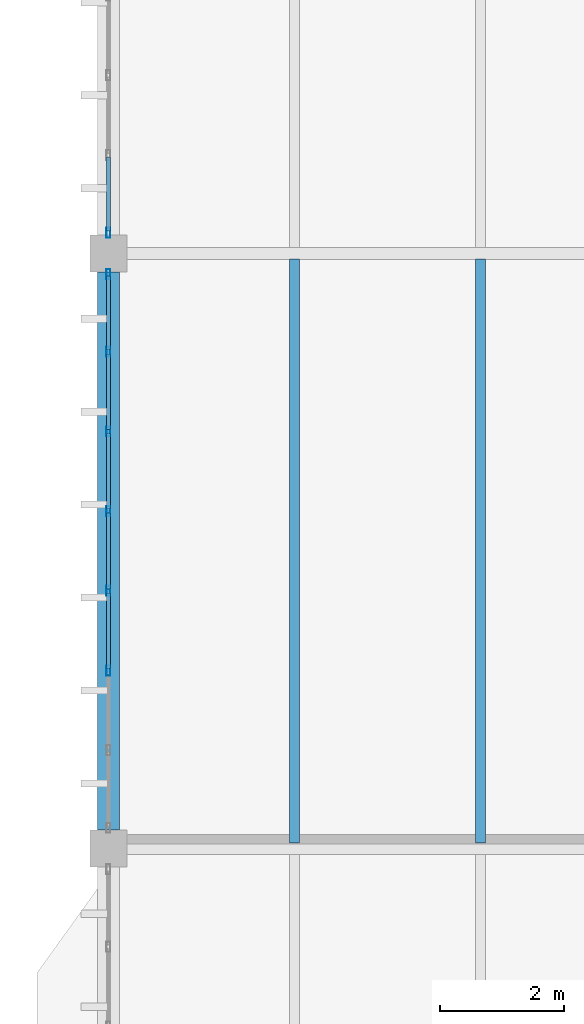
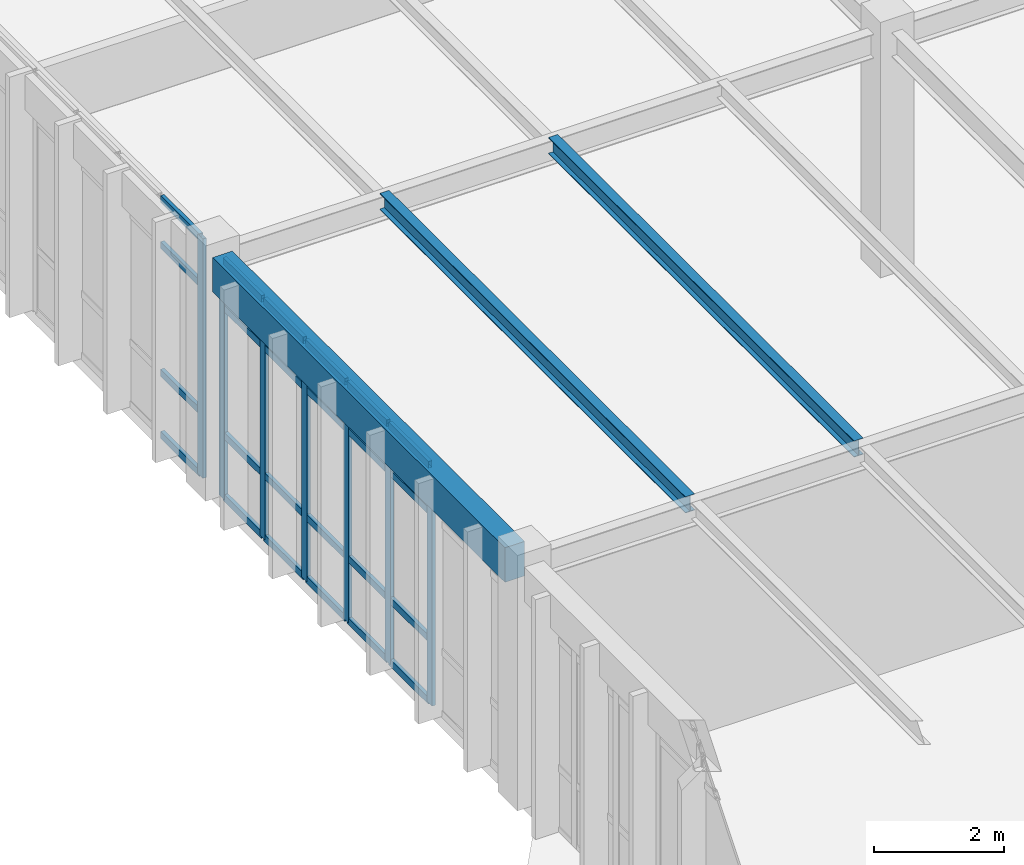
# One storey, part 162 of 236: 31 members, 3 beams, 2 elements without a shape of their own.
"""IFC4 building model written with IfcOpenShell, lengths in metres."""

from ifc_helpers import new_model, si_unit, direction, frame, origin, origin_2d, place, context, subcontext, project, spatial, rectangle, hollow_rectangle, i_section, extrude, material, layer, layer_set, material_profile, profile_set, type_object, element, aggregate, save


model = new_model("IFC4")

# Units and contexts
model_context = context("Model", 3, precision=1e-05, world=origin(), true_north=direction((0.0, 1.0)))
body_context = subcontext(model_context, "Body", "Model", "MODEL_VIEW")
ifc_project = project(units=[si_unit("LENGTHUNIT", "METRE"), si_unit("AREAUNIT", "SQUARE_METRE"), si_unit("VOLUMEUNIT", "CUBIC_METRE"), si_unit("PLANEANGLEUNIT", "RADIAN"), si_unit("MASSUNIT", "GRAM", prefix="KILO")], contexts=[model_context])

# Site, building, storey
site_placement = place(None, origin())
site = spatial("IfcSite", under=ifc_project, at=site_placement, CompositionType="ELEMENT")
building_placement = place(site_placement, origin())
building = spatial("IfcBuilding", under=site, at=building_placement, Name="Pandanus Reach Market Hall", CompositionType="ELEMENT")
storey_placement = place(building_placement, frame((0.0, 0.0, 5.39990234375)))
storey = spatial("IfcBuildingStorey", under=building, at=storey_placement, Name="L01", CompositionType="ELEMENT", Elevation=5.39990234375)

# Beam
ifc_material_1 = material(Name="Concrete N40 (40 MPa)", Category="concrete")
ifc_material_profile_1 = material_profile(ifc_material_1, rectangle(XDim=0.35009765625, YDim=0.64990234375, at=origin_2d()), Name="RC350x650", Category="LoadBearing")
ifc_profile_set_1 = profile_set([ifc_material_profile_1], Name="Concrete N40 (40 MPa)")
beam_type_1 = type_object("IfcBeamType", Name="BM-RC350-E", PredefinedType="SPANDREL", material=ifc_profile_set_1)
beam_placement = place(storey_placement, frame((144.0, 77.097900390625, 4.215087890625), z_axis=(0.0, 1.0, 0.0), x_axis=(-1.0, 0.0, 0.0)))
element("IfcBeam", 1, at=beam_placement, inside=storey, type_object=beam_type_1, Name="Framing beam BM-RC350-E L01.343", PredefinedType="SPANDREL", context=body_context, shape_type="SweptSolid", body=[
    extrude(rectangle(XDim=0.35009765625, YDim=0.64990234375, at=origin_2d()), origin(), (0.0, 0.0, 1.0), 9.004150390625),
])

# Curtain wall, members
ifc_material_2 = material(Name="Bronze anodised aluminium and low-E glass", Category="aluminium")
ifc_layer = layer(ifc_material_2, 0.159912109375, Name="CW-29")
ifc_layer_set = layer_set([ifc_layer], Name="Bronze anodised aluminium and low-E glass")
curtain_wall_type = type_object("IfcCurtainWallType", Name="CW-29", PredefinedType="NOTDEFINED", material=ifc_layer_set)
curtain_wall_1_placement = place(storey_placement, origin())
curtain_wall_1 = element("IfcCurtainWall", 2, at=curtain_wall_1_placement, inside=storey, type_object=curtain_wall_type, Name="Glazed curtain wall CW-29 CW-0098", PredefinedType="NOTDEFINED")
ifc_material_3 = material(Name="Bronze anodised aluminium", Category="aluminium")
ifc_material_profile_2 = material_profile(ifc_material_3, hollow_rectangle(XDim=0.06494140625, YDim=0.159912109375, WallThickness=0.00390625, at=origin_2d()), Name="ALU65x160", Category="LoadBearing")
ifc_profile_set_2 = profile_set([ifc_material_profile_2], Name="Bronze anodised aluminium")
member_type_1 = type_object("IfcMemberType", Name="CW-M1", PredefinedType="MULLION", material=ifc_profile_set_2)
member_1_placement = place(storey_placement, frame((144.0, 79.67138671875, 0.0), z_axis=(0.0, 0.0, 1.0), x_axis=(-1.0, 0.0, 0.0)))
member_1 = element("IfcMember", 3, at=member_1_placement, type_object=member_type_1, Name="CW-29 mullion 3", PredefinedType="MULLION", context=body_context, shape_type="SweptSolid", body=[
    extrude(hollow_rectangle(XDim=0.06494140625, YDim=0.159912109375, WallThickness=0.00390625, at=origin_2d()), origin(), (0.0, 0.0, 1.0), 4.5),
])
member_2_placement = place(storey_placement, frame((144.0, 80.95703125, 0.0), z_axis=(0.0, 0.0, 1.0), x_axis=(-1.0, 0.0, 0.0)))
member_2 = element("IfcMember", 4, at=member_2_placement, type_object=member_type_1, Name="CW-29 mullion 4", PredefinedType="MULLION", context=body_context, shape_type="SweptSolid", body=[
    extrude(hollow_rectangle(XDim=0.06494140625, YDim=0.159912109375, WallThickness=0.00390625, at=origin_2d()), origin(), (0.0, 0.0, 1.0), 4.5),
])
member_3_placement = place(storey_placement, frame((144.0, 82.242919921875, 0.0), z_axis=(0.0, 0.0, 1.0), x_axis=(-1.0, 0.0, 0.0)))
member_3 = element("IfcMember", 5, at=member_3_placement, type_object=member_type_1, Name="CW-29 mullion 5", PredefinedType="MULLION", context=body_context, shape_type="SweptSolid", body=[
    extrude(hollow_rectangle(XDim=0.06494140625, YDim=0.159912109375, WallThickness=0.00390625, at=origin_2d()), origin(), (0.0, 0.0, 1.0), 4.5),
])
member_4_placement = place(storey_placement, frame((144.0, 83.528564453125, 0.0), z_axis=(0.0, 0.0, 1.0), x_axis=(-1.0, 0.0, 0.0)))
member_4 = element("IfcMember", 6, at=member_4_placement, type_object=member_type_1, Name="CW-29 mullion 6", PredefinedType="MULLION", context=body_context, shape_type="SweptSolid", body=[
    extrude(hollow_rectangle(XDim=0.06494140625, YDim=0.159912109375, WallThickness=0.00390625, at=origin_2d()), origin(), (0.0, 0.0, 1.0), 4.5),
])
member_5_placement = place(storey_placement, frame((144.0, 84.814208984375, 0.0), z_axis=(0.0, 0.0, 1.0), x_axis=(-1.0, 0.0, 0.0)))
member_5 = element("IfcMember", 7, at=member_5_placement, type_object=member_type_1, Name="CW-29 mullion 7", PredefinedType="MULLION", context=body_context, shape_type="SweptSolid", body=[
    extrude(hollow_rectangle(XDim=0.06494140625, YDim=0.159912109375, WallThickness=0.00390625, at=origin_2d()), origin(), (0.0, 0.0, 1.0), 4.5),
])
member_6_placement = place(storey_placement, frame((144.0, 86.0673828125, 0.0), z_axis=(0.0, 0.0, 1.0), x_axis=(-1.0, 0.0, 0.0)))
member_6 = element("IfcMember", 8, at=member_6_placement, type_object=member_type_1, Name="CW-29 mullion 8", PredefinedType="MULLION", context=body_context, shape_type="SweptSolid", body=[
    extrude(hollow_rectangle(XDim=0.06494140625, YDim=0.159912109375, WallThickness=0.00390625, at=origin_2d()), origin(), (0.0, 0.0, 1.0), 4.5),
])

# Curtain wall, member
curtain_wall_2_placement = place(storey_placement, origin())
curtain_wall_2 = element("IfcCurtainWall", 9, at=curtain_wall_2_placement, inside=storey, type_object=curtain_wall_type, Name="Glazed curtain wall CW-29 CW-0099", PredefinedType="NOTDEFINED")
member_7_placement = place(storey_placement, frame((144.0, 86.732421875, 0.0), z_axis=(0.0, 0.0, 1.0), x_axis=(-1.0, 0.0, 0.0)))
member_7 = element("IfcMember", 10, at=member_7_placement, type_object=member_type_1, Name="CW-29 mullion 1", PredefinedType="MULLION", context=body_context, shape_type="SweptSolid", body=[
    extrude(hollow_rectangle(XDim=0.06494140625, YDim=0.159912109375, WallThickness=0.00390625, at=origin_2d()), origin(), (0.0, 0.0, 1.0), 4.5),
])

# Member
ifc_material_profile_3 = material_profile(ifc_material_3, hollow_rectangle(XDim=0.06494140625, YDim=0.1298828125, WallThickness=0.00390625, at=origin_2d()), Name="ALU65x130", Category="LoadBearing")
ifc_profile_set_3 = profile_set([ifc_material_profile_3], Name="Bronze anodised aluminium")
member_type_2 = type_object("IfcMemberType", Name="CW-T1", PredefinedType="USERDEFINED", material=ifc_profile_set_3)
member_8_placement = place(storey_placement, frame((144.0, 79.703857421875, 0.03271484375), z_axis=(0.0, 1.0, 0.0), x_axis=(-1.0, 0.0, 0.0)))
member_8 = element("IfcMember", 11, at=member_8_placement, type_object=member_type_2, Name="CW-29 transom 3.1", ObjectType="TRANSOM", PredefinedType="USERDEFINED", context=body_context, shape_type="SweptSolid", body=[
    extrude(hollow_rectangle(XDim=0.06494140625, YDim=0.1298828125, WallThickness=0.00390625, at=origin_2d()), origin(), (0.0, 0.0, 1.0), 1.220703125),
])

member_9_placement = place(storey_placement, frame((144.0, 79.703857421875, 1.2001953125), z_axis=(0.0, 1.0, 0.0), x_axis=(-1.0, 0.0, 0.0)))
member_9 = element("IfcMember", 12, at=member_9_placement, type_object=member_type_2, Name="CW-29 transom 3.2", ObjectType="TRANSOM", PredefinedType="USERDEFINED", context=body_context, shape_type="SweptSolid", body=[
    extrude(hollow_rectangle(XDim=0.06494140625, YDim=0.1298828125, WallThickness=0.00390625, at=origin_2d()), origin(), (0.0, 0.0, 1.0), 1.220703125),
])

member_10_placement = place(storey_placement, frame((144.0, 79.703857421875, 3.60009765625), z_axis=(0.0, 1.0, 0.0), x_axis=(-1.0, 0.0, 0.0)))
member_10 = element("IfcMember", 13, at=member_10_placement, type_object=member_type_2, Name="CW-29 transom 3.3", ObjectType="TRANSOM", PredefinedType="USERDEFINED", context=body_context, shape_type="SweptSolid", body=[
    extrude(hollow_rectangle(XDim=0.06494140625, YDim=0.1298828125, WallThickness=0.00390625, at=origin_2d()), origin(), (0.0, 0.0, 1.0), 1.220703125),
])

member_11_placement = place(storey_placement, frame((144.0, 79.703857421875, 4.467529296875), z_axis=(0.0, 1.0, 0.0), x_axis=(-1.0, 0.0, 0.0)))
member_11 = element("IfcMember", 14, at=member_11_placement, type_object=member_type_2, Name="CW-29 transom 3.4", ObjectType="TRANSOM", PredefinedType="USERDEFINED", context=body_context, shape_type="SweptSolid", body=[
    extrude(hollow_rectangle(XDim=0.06494140625, YDim=0.1298828125, WallThickness=0.00390625, at=origin_2d()), origin(), (0.0, 0.0, 1.0), 1.220703125),
])

member_12_placement = place(storey_placement, frame((144.0, 80.98974609375, 0.03271484375), z_axis=(0.0, 1.0, 0.0), x_axis=(-1.0, 0.0, 0.0)))
member_12 = element("IfcMember", 15, at=member_12_placement, type_object=member_type_2, Name="CW-29 transom 4.1", ObjectType="TRANSOM", PredefinedType="USERDEFINED", context=body_context, shape_type="SweptSolid", body=[
    extrude(hollow_rectangle(XDim=0.06494140625, YDim=0.1298828125, WallThickness=0.00390625, at=origin_2d()), origin(), (0.0, 0.0, 1.0), 1.220703125),
])

member_13_placement = place(storey_placement, frame((144.0, 80.98974609375, 1.2001953125), z_axis=(0.0, 1.0, 0.0), x_axis=(-1.0, 0.0, 0.0)))
member_13 = element("IfcMember", 16, at=member_13_placement, type_object=member_type_2, Name="CW-29 transom 4.2", ObjectType="TRANSOM", PredefinedType="USERDEFINED", context=body_context, shape_type="SweptSolid", body=[
    extrude(hollow_rectangle(XDim=0.06494140625, YDim=0.1298828125, WallThickness=0.00390625, at=origin_2d()), origin(), (0.0, 0.0, 1.0), 1.220703125),
])

member_14_placement = place(storey_placement, frame((144.0, 80.98974609375, 3.60009765625), z_axis=(0.0, 1.0, 0.0), x_axis=(-1.0, 0.0, 0.0)))
member_14 = element("IfcMember", 17, at=member_14_placement, type_object=member_type_2, Name="CW-29 transom 4.3", ObjectType="TRANSOM", PredefinedType="USERDEFINED", context=body_context, shape_type="SweptSolid", body=[
    extrude(hollow_rectangle(XDim=0.06494140625, YDim=0.1298828125, WallThickness=0.00390625, at=origin_2d()), origin(), (0.0, 0.0, 1.0), 1.220703125),
])

member_15_placement = place(storey_placement, frame((144.0, 80.98974609375, 4.467529296875), z_axis=(0.0, 1.0, 0.0), x_axis=(-1.0, 0.0, 0.0)))
member_15 = element("IfcMember", 18, at=member_15_placement, type_object=member_type_2, Name="CW-29 transom 4.4", ObjectType="TRANSOM", PredefinedType="USERDEFINED", context=body_context, shape_type="SweptSolid", body=[
    extrude(hollow_rectangle(XDim=0.06494140625, YDim=0.1298828125, WallThickness=0.00390625, at=origin_2d()), origin(), (0.0, 0.0, 1.0), 1.220703125),
])

member_16_placement = place(storey_placement, frame((144.0, 82.275390625, 0.03271484375), z_axis=(0.0, 1.0, 0.0), x_axis=(-1.0, 0.0, 0.0)))
member_16 = element("IfcMember", 19, at=member_16_placement, type_object=member_type_2, Name="CW-29 transom 5.1", ObjectType="TRANSOM", PredefinedType="USERDEFINED", context=body_context, shape_type="SweptSolid", body=[
    extrude(hollow_rectangle(XDim=0.06494140625, YDim=0.1298828125, WallThickness=0.00390625, at=origin_2d()), origin(), (0.0, 0.0, 1.0), 1.220703125),
])

member_17_placement = place(storey_placement, frame((144.0, 82.275390625, 1.2001953125), z_axis=(0.0, 1.0, 0.0), x_axis=(-1.0, 0.0, 0.0)))
member_17 = element("IfcMember", 20, at=member_17_placement, type_object=member_type_2, Name="CW-29 transom 5.2", ObjectType="TRANSOM", PredefinedType="USERDEFINED", context=body_context, shape_type="SweptSolid", body=[
    extrude(hollow_rectangle(XDim=0.06494140625, YDim=0.1298828125, WallThickness=0.00390625, at=origin_2d()), origin(), (0.0, 0.0, 1.0), 1.220703125),
])

member_18_placement = place(storey_placement, frame((144.0, 82.275390625, 3.60009765625), z_axis=(0.0, 1.0, 0.0), x_axis=(-1.0, 0.0, 0.0)))
member_18 = element("IfcMember", 21, at=member_18_placement, type_object=member_type_2, Name="CW-29 transom 5.3", ObjectType="TRANSOM", PredefinedType="USERDEFINED", context=body_context, shape_type="SweptSolid", body=[
    extrude(hollow_rectangle(XDim=0.06494140625, YDim=0.1298828125, WallThickness=0.00390625, at=origin_2d()), origin(), (0.0, 0.0, 1.0), 1.220703125),
])

member_19_placement = place(storey_placement, frame((144.0, 82.275390625, 4.467529296875), z_axis=(0.0, 1.0, 0.0), x_axis=(-1.0, 0.0, 0.0)))
member_19 = element("IfcMember", 22, at=member_19_placement, type_object=member_type_2, Name="CW-29 transom 5.4", ObjectType="TRANSOM", PredefinedType="USERDEFINED", context=body_context, shape_type="SweptSolid", body=[
    extrude(hollow_rectangle(XDim=0.06494140625, YDim=0.1298828125, WallThickness=0.00390625, at=origin_2d()), origin(), (0.0, 0.0, 1.0), 1.220703125),
])

member_20_placement = place(storey_placement, frame((144.0, 83.56103515625, 0.03271484375), z_axis=(0.0, 1.0, 0.0), x_axis=(-1.0, 0.0, 0.0)))
member_20 = element("IfcMember", 23, at=member_20_placement, type_object=member_type_2, Name="CW-29 transom 6.1", ObjectType="TRANSOM", PredefinedType="USERDEFINED", context=body_context, shape_type="SweptSolid", body=[
    extrude(hollow_rectangle(XDim=0.06494140625, YDim=0.1298828125, WallThickness=0.00390625, at=origin_2d()), origin(), (0.0, 0.0, 1.0), 1.220703125),
])

member_21_placement = place(storey_placement, frame((144.0, 83.56103515625, 1.2001953125), z_axis=(0.0, 1.0, 0.0), x_axis=(-1.0, 0.0, 0.0)))
member_21 = element("IfcMember", 24, at=member_21_placement, type_object=member_type_2, Name="CW-29 transom 6.2", ObjectType="TRANSOM", PredefinedType="USERDEFINED", context=body_context, shape_type="SweptSolid", body=[
    extrude(hollow_rectangle(XDim=0.06494140625, YDim=0.1298828125, WallThickness=0.00390625, at=origin_2d()), origin(), (0.0, 0.0, 1.0), 1.220703125),
])

member_22_placement = place(storey_placement, frame((144.0, 83.56103515625, 3.60009765625), z_axis=(0.0, 1.0, 0.0), x_axis=(-1.0, 0.0, 0.0)))
member_22 = element("IfcMember", 25, at=member_22_placement, type_object=member_type_2, Name="CW-29 transom 6.3", ObjectType="TRANSOM", PredefinedType="USERDEFINED", context=body_context, shape_type="SweptSolid", body=[
    extrude(hollow_rectangle(XDim=0.06494140625, YDim=0.1298828125, WallThickness=0.00390625, at=origin_2d()), origin(), (0.0, 0.0, 1.0), 1.220703125),
])

member_23_placement = place(storey_placement, frame((144.0, 83.56103515625, 4.467529296875), z_axis=(0.0, 1.0, 0.0), x_axis=(-1.0, 0.0, 0.0)))
member_23 = element("IfcMember", 26, at=member_23_placement, type_object=member_type_2, Name="CW-29 transom 6.4", ObjectType="TRANSOM", PredefinedType="USERDEFINED", context=body_context, shape_type="SweptSolid", body=[
    extrude(hollow_rectangle(XDim=0.06494140625, YDim=0.1298828125, WallThickness=0.00390625, at=origin_2d()), origin(), (0.0, 0.0, 1.0), 1.220703125),
])

member_24_placement = place(storey_placement, frame((144.0, 84.8466796875, 0.03271484375), z_axis=(0.0, 1.0, 0.0), x_axis=(-1.0, 0.0, 0.0)))
member_24 = element("IfcMember", 27, at=member_24_placement, type_object=member_type_2, Name="CW-29 transom 7.1", ObjectType="TRANSOM", PredefinedType="USERDEFINED", context=body_context, shape_type="SweptSolid", body=[
    extrude(hollow_rectangle(XDim=0.06494140625, YDim=0.1298828125, WallThickness=0.00390625, at=origin_2d()), origin(), (0.0, 0.0, 1.0), 1.188232421875),
])

member_25_placement = place(storey_placement, frame((144.0, 84.8466796875, 1.2001953125), z_axis=(0.0, 1.0, 0.0), x_axis=(-1.0, 0.0, 0.0)))
member_25 = element("IfcMember", 28, at=member_25_placement, type_object=member_type_2, Name="CW-29 transom 7.2", ObjectType="TRANSOM", PredefinedType="USERDEFINED", context=body_context, shape_type="SweptSolid", body=[
    extrude(hollow_rectangle(XDim=0.06494140625, YDim=0.1298828125, WallThickness=0.00390625, at=origin_2d()), origin(), (0.0, 0.0, 1.0), 1.188232421875),
])

member_26_placement = place(storey_placement, frame((144.0, 84.8466796875, 3.60009765625), z_axis=(0.0, 1.0, 0.0), x_axis=(-1.0, 0.0, 0.0)))
member_26 = element("IfcMember", 29, at=member_26_placement, type_object=member_type_2, Name="CW-29 transom 7.3", ObjectType="TRANSOM", PredefinedType="USERDEFINED", context=body_context, shape_type="SweptSolid", body=[
    extrude(hollow_rectangle(XDim=0.06494140625, YDim=0.1298828125, WallThickness=0.00390625, at=origin_2d()), origin(), (0.0, 0.0, 1.0), 1.188232421875),
])

member_27_placement = place(storey_placement, frame((144.0, 84.8466796875, 4.467529296875), z_axis=(0.0, 1.0, 0.0), x_axis=(-1.0, 0.0, 0.0)))
member_27 = element("IfcMember", 30, at=member_27_placement, type_object=member_type_2, Name="CW-29 transom 7.4", ObjectType="TRANSOM", PredefinedType="USERDEFINED", context=body_context, shape_type="SweptSolid", body=[
    extrude(hollow_rectangle(XDim=0.06494140625, YDim=0.1298828125, WallThickness=0.00390625, at=origin_2d()), origin(), (0.0, 0.0, 1.0), 1.188232421875),
])

aggregate(curtain_wall_1, [member_1, member_2, member_3, member_4, member_5, member_6, member_8, member_9, member_10, member_11, member_12, member_13, member_14, member_15, member_16, member_17, member_18, member_19, member_20, member_21, member_22, member_23, member_24, member_25, member_26, member_27])

member_28_placement = place(storey_placement, frame((144.0, 86.764892578125, 0.03271484375), z_axis=(0.0, 1.0, 0.0), x_axis=(-1.0, 0.0, 0.0)))
member_28 = element("IfcMember", 31, at=member_28_placement, type_object=member_type_2, Name="CW-29 transom 1.1", ObjectType="TRANSOM", PredefinedType="USERDEFINED", context=body_context, shape_type="SweptSolid", body=[
    extrude(hollow_rectangle(XDim=0.06494140625, YDim=0.1298828125, WallThickness=0.00390625, at=origin_2d()), origin(), (0.0, 0.0, 1.0), 1.188232421875),
])

member_29_placement = place(storey_placement, frame((144.0, 86.764892578125, 1.2001953125), z_axis=(0.0, 1.0, 0.0), x_axis=(-1.0, 0.0, 0.0)))
member_29 = element("IfcMember", 32, at=member_29_placement, type_object=member_type_2, Name="CW-29 transom 1.2", ObjectType="TRANSOM", PredefinedType="USERDEFINED", context=body_context, shape_type="SweptSolid", body=[
    extrude(hollow_rectangle(XDim=0.06494140625, YDim=0.1298828125, WallThickness=0.00390625, at=origin_2d()), origin(), (0.0, 0.0, 1.0), 1.188232421875),
])

member_30_placement = place(storey_placement, frame((144.0, 86.764892578125, 3.60009765625), z_axis=(0.0, 1.0, 0.0), x_axis=(-1.0, 0.0, 0.0)))
member_30 = element("IfcMember", 33, at=member_30_placement, type_object=member_type_2, Name="CW-29 transom 1.3", ObjectType="TRANSOM", PredefinedType="USERDEFINED", context=body_context, shape_type="SweptSolid", body=[
    extrude(hollow_rectangle(XDim=0.06494140625, YDim=0.1298828125, WallThickness=0.00390625, at=origin_2d()), origin(), (0.0, 0.0, 1.0), 1.188232421875),
])

member_31_placement = place(storey_placement, frame((144.0, 86.764892578125, 4.467529296875), z_axis=(0.0, 1.0, 0.0), x_axis=(-1.0, 0.0, 0.0)))
member_31 = element("IfcMember", 34, at=member_31_placement, type_object=member_type_2, Name="CW-29 transom 1.4", ObjectType="TRANSOM", PredefinedType="USERDEFINED", context=body_context, shape_type="SweptSolid", body=[
    extrude(hollow_rectangle(XDim=0.06494140625, YDim=0.1298828125, WallThickness=0.00390625, at=origin_2d()), origin(), (0.0, 0.0, 1.0), 1.188232421875),
])

aggregate(curtain_wall_2, [member_7, member_28, member_29, member_30, member_31])

# Beams
ifc_material_4 = material(Name="Steel Grade 350 (350 MPa)", Category="steel")
ifc_material_profile_4 = material_profile(ifc_material_4, i_section(OverallWidth=0.166015625, OverallDepth=0.306884765625, WebThickness=0.006591796875, FlangeThickness=0.01171875, at=origin_2d()), Name="310UB46.2", Category="LoadBearing")
ifc_profile_set_4 = profile_set([ifc_material_profile_4], Name="Steel Grade 350 (350 MPa)")
beam_type_2 = type_object("IfcBeamType", Name="JS-UB310H-I", PredefinedType="JOIST", material=ifc_profile_set_4)
for number, where, z_axis, x_axis, name in (
    (35, (147.0, 76.89306640625, 4.38623046875), (0.0, 1.0, 0.0), (-1.0, 0.0, 0.0), "Secondary joist JS-UB310H-I L01.390"),
    (36, (150.0, 76.89306640625, 4.38623046875), (0.0, 1.0, 0.0), (-1.0, 0.0, 0.0), "Secondary joist JS-UB310H-I L01.391"),
):
    element("IfcBeam", number, at=place(storey_placement, frame(where, z_axis=z_axis, x_axis=x_axis)), inside=storey, type_object=beam_type_2, Name=name, PredefinedType="JOIST", context=body_context, shape_type="SweptSolid", body=[
        extrude(i_section(OverallWidth=0.166015625, OverallDepth=0.306884765625, WebThickness=0.006591796875, FlangeThickness=0.01171875, at=origin_2d()), origin(), (0.0, 0.0, 1.0), 9.413818359375),
    ])

save(model, "model.ifc")
